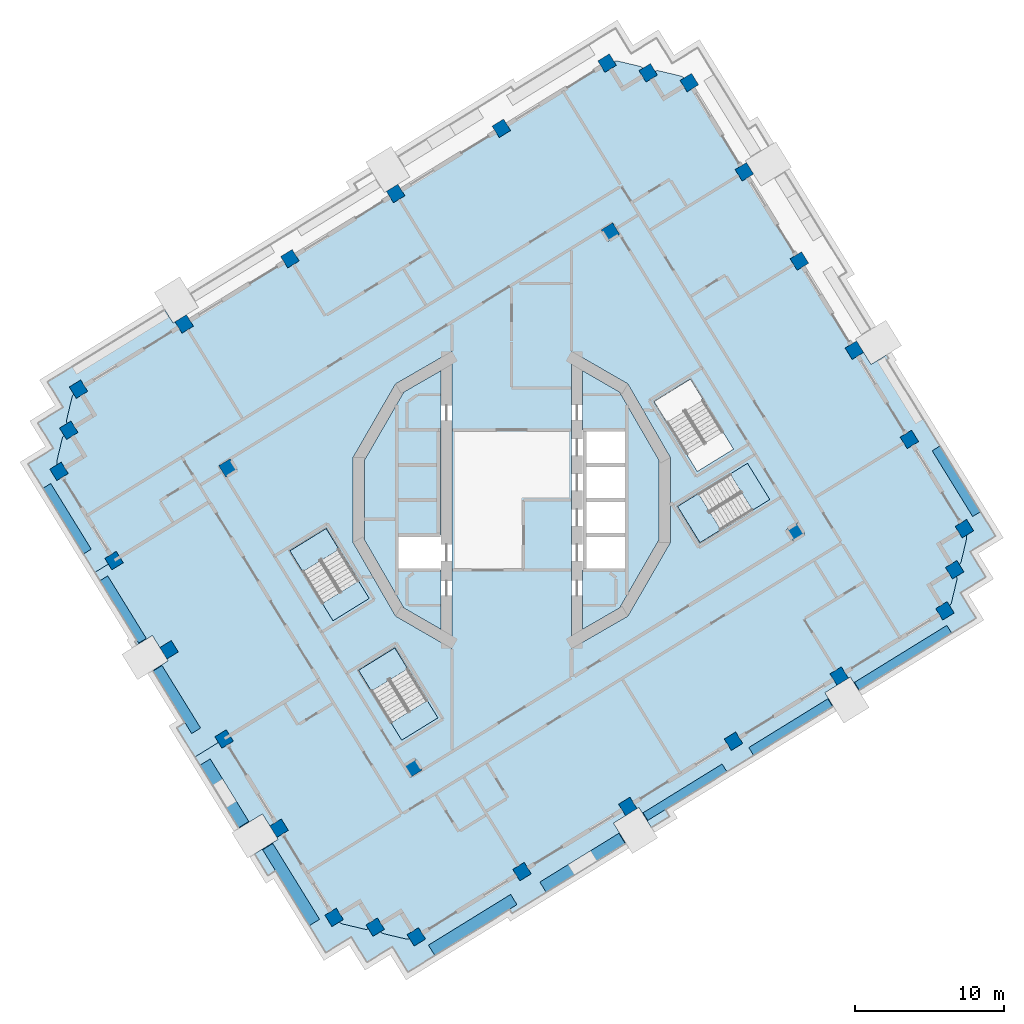
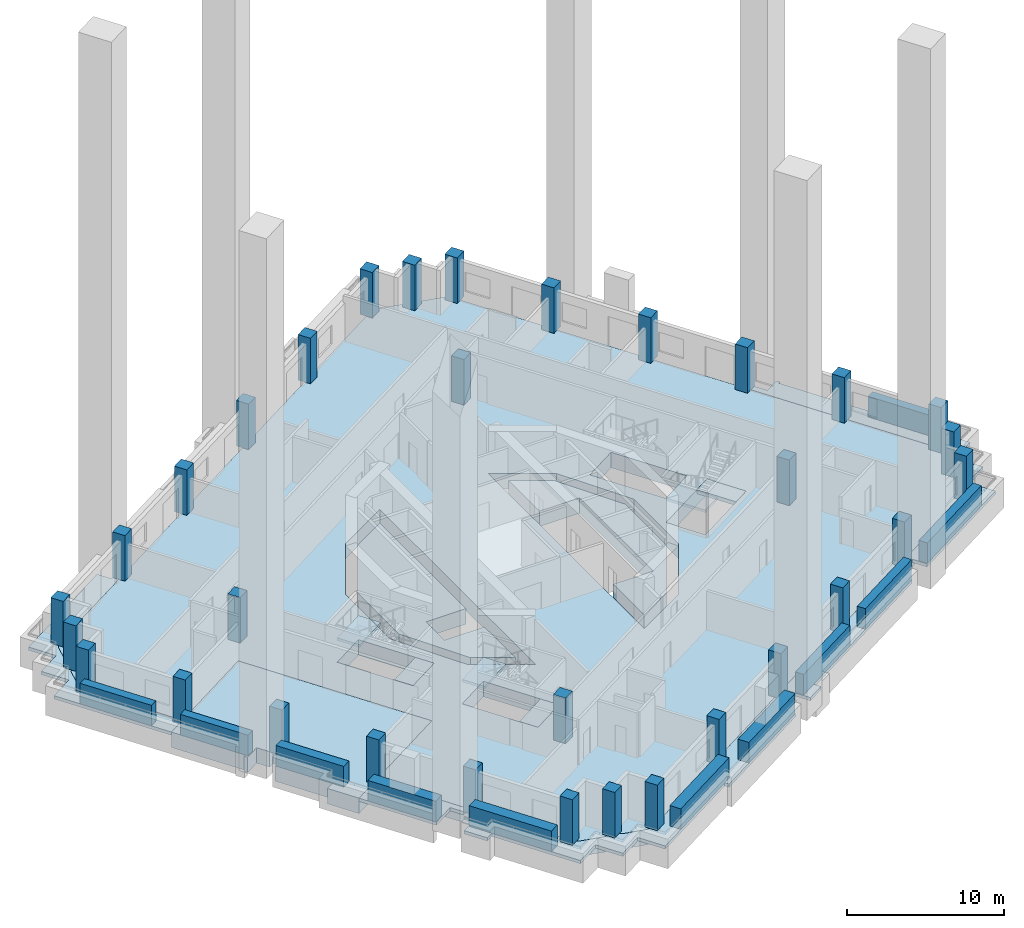
# One storey, part 1 of 19: 32 columns, 15 slabs, 11 plates, 3 elements without a shape of their own.
"""IFC4 building model written with IfcOpenShell, lengths in metres."""

from ifc_helpers import new_model, si_unit, direction, frame, origin, origin_2d, place, context, subcontext, project, spatial, polyline, rectangle, outline, extrude, material, layer, layer_set, material_profile, profile_set, type_object, element, aggregate, save


model = new_model("IFC4")

# Units and contexts
model_context = context("Model", 3, precision=1e-05, world=origin(), true_north=direction((0.0, 1.0)))
body_context = subcontext(model_context, "Body", "Model", "MODEL_VIEW")
ifc_project = project(units=[si_unit("LENGTHUNIT", "METRE"), si_unit("AREAUNIT", "SQUARE_METRE"), si_unit("VOLUMEUNIT", "CUBIC_METRE"), si_unit("PLANEANGLEUNIT", "RADIAN"), si_unit("MASSUNIT", "GRAM", prefix="KILO")], contexts=[model_context])

# Site, building, storey
site_placement = place(None, origin())
site = spatial("IfcSite", under=ifc_project, at=site_placement, CompositionType="ELEMENT")
building_placement = place(site_placement, origin())
building = spatial("IfcBuilding", under=site, at=building_placement, Name="Cantera Rosa Tower", CompositionType="ELEMENT")
storey_placement = place(building_placement, frame((0.0, 0.0, 147.60009765625)))
storey = spatial("IfcBuildingStorey", under=building, at=storey_placement, Name="L31", CompositionType="ELEMENT", Elevation=147.60009765625)

# Columns
ifc_material_1 = material(Name="Concrete C60/75", Category="concrete")
ifc_material_profile_1 = material_profile(ifc_material_1, rectangle(XDim=0.89990234375, YDim=0.89990234375, at=origin_2d()), Name="RC COLUMN RC900X900 C60/75")
ifc_profile_set_1 = profile_set([ifc_material_profile_1], Name="Concrete C60/75")
column_type_1 = type_object("IfcColumnType", Name="RC COLUMN RC900X900 C60/75", PredefinedType="COLUMN", material=ifc_profile_set_1)
for number, where, z_axis, x_axis, name in (
    (1, (30.321044921875, -1.917724609375, 0.0), (0.0, 0.0, 1.0), (0.851116672434, 0.52497658034, 0.0), "C-Z3-01 L31"),
    (2, (26.6357421875, 4.05712890625, 0.0), (0.0, 0.0, 1.0), (0.851116672434, 0.52497658034, 0.0), "C-Z3-02 L31"),
    (3, (22.950439453125, 10.031982421875, 0.0), (0.0, 0.0, 1.0), (0.851116672434, 0.52497658034, 0.0), "C-Z3-03 L31"),
    (4, (19.26513671875, 16.0068359375, 0.0), (0.0, 0.0, 1.0), (0.851116672434, 0.52497658034, 0.0), "C-Z3-04 L31"),
    (5, (15.57958984375, 21.981689453125, 0.0), (0.0, 0.0, 1.0), (0.851116672434, 0.52497658034, 0.0), "C-Z3-05 L31"),
    (6, (11.894287109375, 27.95654296875, 0.0), (0.0, 0.0, 1.0), (0.851116672434, 0.52497658034, 0.0), "C-Z3-06 L31"),
    (7, (9.14208984375, 28.60888671875, 0.0), (0.0, 0.0, 1.0), (0.851116672434, 0.52497658034, 0.0), "C-Z3-07 L31"),
    (8, (6.389892578125, 29.260986328125, 0.0), (0.0, 0.0, 1.0), (0.851116672434, 0.52497658034, 0.0), "C-Z3-08 L31"),
    (9, (-0.69140625, 24.893310546875, 0.0), (0.0, 0.0, 1.0), (0.851116672434, 0.52497658034, 0.0), "C-Z3-09 L31"),
    (10, (-7.772705078125, 20.525390625, 0.0), (0.0, 0.0, 1.0), (0.851116672434, 0.52497658034, 0.0), "C-Z3-10 L31"),
    (11, (-14.85400390625, 16.15771484375, 0.0), (0.0, 0.0, 1.0), (0.851116672434, 0.52497658034, 0.0), "C-Z3-11 L31"),
    (12, (-21.935302734375, 11.789794921875, 0.0), (0.0, 0.0, 1.0), (0.851116672434, 0.52497658034, 0.0), "C-Z3-12 L31"),
    (13, (-29.016357421875, 7.422119140625, 0.0), (0.0, 0.0, 1.0), (0.851116672434, 0.52497658034, 0.0), "C-Z3-13 L31"),
    (14, (-29.668701171875, 4.669921875, 0.0), (0.0, 0.0, 1.0), (0.851116672434, 0.52497658034, 0.0), "C-Z3-14 L31"),
    (15, (-30.321044921875, 1.917724609375, 0.0), (0.0, 0.0, 1.0), (0.851116672434, 0.52497658034, 0.0), "C-Z3-15 L31"),
    (16, (-26.6357421875, -4.05712890625, 0.0), (0.0, 0.0, 1.0), (0.851116672434, 0.52497658034, 0.0), "C-Z3-16 L31"),
    (17, (-22.950439453125, -10.031982421875, 0.0), (0.0, 0.0, 1.0), (0.851116672434, 0.52497658034, 0.0), "C-Z3-17 L31"),
    (18, (-19.26513671875, -16.0068359375, 0.0), (0.0, 0.0, 1.0), (0.851116672434, 0.52497658034, 0.0), "C-Z3-18 L31"),
    (19, (-15.57958984375, -21.981689453125, 0.0), (0.0, 0.0, 1.0), (0.851116672434, 0.52497658034, 0.0), "C-Z3-19 L31"),
    (20, (-11.894287109375, -27.95654296875, 0.0), (0.0, 0.0, 1.0), (0.851116672434, 0.52497658034, 0.0), "C-Z3-20 L31"),
    (21, (-9.14208984375, -28.60888671875, 0.0), (0.0, 0.0, 1.0), (0.851116672434, 0.52497658034, 0.0), "C-Z3-21 L31"),
    (22, (-6.389892578125, -29.260986328125, 0.0), (0.0, 0.0, 1.0), (0.851116672434, 0.52497658034, 0.0), "C-Z3-22 L31"),
    (23, (0.69140625, -24.893310546875, 0.0), (0.0, 0.0, 1.0), (0.851116672434, 0.52497658034, 0.0), "C-Z3-23 L31"),
    (24, (7.772705078125, -20.525390625, 0.0), (0.0, 0.0, 1.0), (0.851116672434, 0.52497658034, 0.0), "C-Z3-24 L31"),
    (25, (14.85400390625, -16.15771484375, 0.0), (0.0, 0.0, 1.0), (0.851116672434, 0.52497658034, 0.0), "C-Z3-25 L31"),
    (26, (21.935302734375, -11.789794921875, 0.0), (0.0, 0.0, 1.0), (0.851116672434, 0.52497658034, 0.0), "C-Z3-26 L31"),
    (27, (29.016357421875, -7.422119140625, 0.0), (0.0, 0.0, 1.0), (0.851116672434, 0.52497658034, 0.0), "C-Z3-27 L31"),
    (28, (29.668701171875, -4.669921875, 0.0), (0.0, 0.0, 1.0), (0.851116672434, 0.52497658034, 0.0), "C-Z3-28 L31"),
):
    element("IfcColumn", number, at=place(storey_placement, frame(where, z_axis=z_axis, x_axis=x_axis)), inside=storey, type_object=column_type_1, Name=name, PredefinedType="COLUMN", context=body_context, shape_type="SweptSolid", body=[
        extrude(rectangle(XDim=0.89990234375, YDim=0.89990234375, at=origin_2d()), origin(), (0.0, 0.0, 1.0), 3.5498046875),
    ])
ifc_material_2 = material(Name="Concrete C60/75", Category="concrete")
ifc_material_profile_2 = material_profile(ifc_material_2, rectangle(XDim=0.89990234375, YDim=0.89990234375, at=origin_2d()), Name="RC RING COLUMN RC900X900 C60/75")
ifc_profile_set_2 = profile_set([ifc_material_profile_2], Name="Concrete C60/75")
column_type_2 = type_object("IfcColumnType", Name="RC RING COLUMN RC900X900 C60/75", PredefinedType="COLUMN", material=ifc_profile_set_2)
for number, where, z_axis, x_axis, name in (
    (29, (6.614501953125, 17.944091796875, 0.0), (0.0, 0.0, 1.0), (0.851116672434, 0.52497658034, 0.0), "CI-Z3-1 L31"),
    (30, (-19.004150390625, 2.142333984375, 0.0), (0.0, 0.0, 1.0), (0.851116672434, 0.52497658034, 0.0), "CI-Z3-2 L31"),
    (31, (-6.614501953125, -17.944091796875, 0.0), (0.0, 0.0, 1.0), (0.851116672434, 0.52497658034, 0.0), "CI-Z3-3 L31"),
    (32, (19.004150390625, -2.142333984375, 0.0), (0.0, 0.0, 1.0), (0.851116672434, 0.52497658034, 0.0), "CI-Z3-4 L31"),
):
    element("IfcColumn", number, at=place(storey_placement, frame(where, z_axis=z_axis, x_axis=x_axis)), inside=storey, type_object=column_type_2, Name=name, PredefinedType="COLUMN", context=body_context, shape_type="SweptSolid", body=[
        extrude(rectangle(XDim=0.89990234375, YDim=0.89990234375, at=origin_2d()), origin(), (0.0, 0.0, 1.0), 3.5498046875),
    ])

# Slabs
ifc_material_3 = material(Name="Concrete C35/45", Category="concrete")
ifc_layer_1 = layer(ifc_material_3, 0.25)
ifc_layer_set_1 = layer_set([ifc_layer_1], Name="LOGGIA SLAB 250 C35/45")
slab_type_1 = type_object("IfcSlabType", Name="LOGGIA SLAB 250 C35/45", PredefinedType="FLOOR", material=ifc_layer_set_1)
slab_1_placement = place(storey_placement, frame((0.0, 0.0, -0.25)))
element("IfcSlab", 33, at=slab_1_placement, inside=storey, type_object=slab_type_1, Name="LOGGIA SLAB L31 1", PredefinedType="FLOOR", context=body_context, shape_type="SweptSolid", body=[
    extrude(outline(polyline([(-30.682861328125, 3.456787109375), (-30.9453125, 3.88232421875), (-31.73291015625, 5.1591796875), (-30.456298828125, 5.946533203125), (-30.03076171875, 6.208984375), (-30.293212890625, 6.634521484375), (-31.08056640625, 7.911376953125), (-29.803955078125, 8.69873046875), (-23.999267578125, 12.279052734375), (-23.2333984375, 12.75146484375), (-22.68212890625, 11.85791015625), (-22.554443359375, 11.9365234375), (-22.318115234375, 11.5537109375), (-29.0166015625, 7.422119140625), (-29.38818359375, 7.00146484375), (-29.406494140625, 6.978515625), (-29.422607421875, 6.953857421875), (-29.43603515625, 6.927490234375), (-29.447021484375, 6.900390625), (-29.455078125, 6.8720703125), (-29.81396484375, 5.3583984375), (-29.8193359375, 5.329345703125), (-29.82177734375, 5.300048828125), (-29.8212890625, 5.2705078125), (-29.818115234375, 5.2412109375), (-29.81201171875, 5.21240234375), (-29.668701171875, 4.669921875), (-30.040283203125, 4.249267578125), (-30.05859375, 4.226318359375), (-30.07470703125, 4.20166015625), (-30.08837890625, 4.17529296875), (-30.09912109375, 4.148193359375), (-30.107421875, 4.119873046875), (-30.46630859375, 2.606201171875), (-30.4716796875, 2.5771484375), (-30.47412109375, 2.5478515625), (-30.4736328125, 2.518310546875), (-30.470458984375, 2.489013671875), (-30.46435546875, 2.460205078125), (-30.321044921875, 1.917724609375), (-26.6357421875, -4.05712890625), (-27.912353515625, -4.844482421875), (-28.69970703125, -3.568115234375), (-31.59765625, 1.130126953125), (-32.38525390625, 2.406982421875), (-31.1083984375, 3.1943359375), (-30.682861328125, 3.456787109375)])), origin(), (0.0, 0.0, 1.0), 0.25),
])
slab_2_placement = place(storey_placement, frame((0.0, 0.0, -0.25)))
element("IfcSlab", 34, at=slab_2_placement, inside=storey, type_object=slab_type_1, Name="LOGGIA SLAB L31 2", PredefinedType="FLOOR", context=body_context, shape_type="SweptSolid", body=[
    extrude(outline(polyline([(-21.2158203125, -17.210205078125), (-19.264892578125, -16.0068359375), (-15.81591796875, -21.5986328125), (-16.198974609375, -21.8349609375), (-16.69775390625, -21.0263671875), (-18.265380859375, -21.993408203125), (-21.2158203125, -17.210205078125)])), origin(), (0.0, 0.0, 1.0), 0.25),
])
slab_3_placement = place(storey_placement, frame((0.0, 0.0, -0.25)))
element("IfcSlab", 35, at=slab_3_placement, inside=storey, type_object=slab_type_1, Name="LOGGIA SLAB L31 4", PredefinedType="FLOOR", context=body_context, shape_type="SweptSolid", body=[
    extrude(outline(polyline([(-7.994384765625, -29.898193359375), (-8.249755859375, -30.0556640625), (-9.696533203125, -30.9482421875), (-10.589111328125, -29.501220703125), (-10.74658203125, -29.245849609375), (-11.001953125, -29.4033203125), (-12.44873046875, -30.2958984375), (-13.34130859375, -28.84912109375), (-15.823486328125, -24.82470703125), (-16.3271484375, -25.135498046875), (-17.21533203125, -23.695556640625), (-15.647705078125, -22.728515625), (-15.7265625, -22.600830078125), (-15.343505859375, -22.36474609375), (-12.408935546875, -27.122314453125), (-11.894287109375, -27.95654296875), (-11.4736328125, -28.328125), (-11.45068359375, -28.346435546875), (-11.426025390625, -28.362548828125), (-11.39990234375, -28.376220703125), (-11.37255859375, -28.386962890625), (-11.34423828125, -28.395263671875), (-9.83056640625, -28.75390625), (-9.801513671875, -28.75927734375), (-9.772216796875, -28.76171875), (-9.742919921875, -28.761474609375), (-9.713623046875, -28.75830078125), (-9.684814453125, -28.752197265625), (-9.14208984375, -28.60888671875), (-8.721435546875, -28.98046875), (-8.698486328125, -28.998779296875), (-8.673828125, -29.014892578125), (-8.647705078125, -29.0283203125), (-8.620361328125, -29.039306640625), (-8.592041015625, -29.047607421875), (-7.078369140625, -29.40625), (-7.049560546875, -29.41162109375), (-7.02001953125, -29.4140625), (-6.99072265625, -29.413818359375), (-6.96142578125, -29.410400390625), (-6.9326171875, -29.404296875), (-6.389892578125, -29.260986328125), (7.3896484375, -20.76171875), (7.625732421875, -21.144775390625), (6.8173828125, -21.643310546875), (7.6416015625, -22.97998046875), (0.032470703125, -27.67333984375), (-0.1357421875, -27.40087890625), (-5.49755859375, -30.7080078125), (-6.9443359375, -31.600341796875), (-7.8369140625, -30.153564453125), (-7.994384765625, -29.898193359375)])), origin(), (0.0, 0.0, 1.0), 0.25),
])
slab_4_placement = place(storey_placement, frame((0.0, 0.0, -0.25)))
element("IfcSlab", 36, at=slab_4_placement, inside=storey, type_object=slab_type_1, Name="LOGGIA SLAB L31 6", PredefinedType="FLOOR", context=body_context, shape_type="SweptSolid", body=[
    extrude(outline(polyline([(21.55224609375, -12.026123046875), (21.788330078125, -12.4091796875), (20.97998046875, -12.90771484375), (21.531005859375, -13.801513671875), (21.446044921875, -13.85400390625), (16.91796875, -16.64697265625), (14.36474609375, -18.2216796875), (10.279541015625, -20.741455078125), (10.552734375, -21.184326171875), (9.343994140625, -21.929931640625), (8.51953125, -20.593505859375), (8.391845703125, -20.672119140625), (8.155517578125, -20.289306640625), (21.55224609375, -12.026123046875)])), origin(), (0.0, 0.0, 1.0), 0.25),
])
slab_5_placement = place(storey_placement, frame((0.0, 0.0, -0.25)))
element("IfcSlab", 37, at=slab_5_placement, inside=storey, type_object=slab_type_1, Name="LOGGIA SLAB L31 8", PredefinedType="FLOOR", context=body_context, shape_type="SweptSolid", body=[
    extrude(outline(polyline([(32.38525390625, -2.406982421875), (31.1083984375, -3.1943359375), (30.682861328125, -3.456787109375), (30.9453125, -3.88232421875), (31.73291015625, -5.1591796875), (30.456298828125, -5.946533203125), (30.03076171875, -6.208984375), (30.293212890625, -6.634521484375), (31.08056640625, -7.911376953125), (29.803955078125, -8.69873046875), (23.999267578125, -12.279052734375), (23.2333984375, -12.75146484375), (22.68212890625, -11.85791015625), (22.554443359375, -11.9365234375), (22.318115234375, -11.5537109375), (28.18212890625, -7.9365234375), (29.0166015625, -7.422119140625), (29.38818359375, -7.00146484375), (29.406494140625, -6.978515625), (29.422607421875, -6.953857421875), (29.43603515625, -6.927490234375), (29.447021484375, -6.900390625), (29.455078125, -6.8720703125), (29.81396484375, -5.3583984375), (29.8193359375, -5.329345703125), (29.82177734375, -5.300048828125), (29.8212890625, -5.2705078125), (29.818115234375, -5.2412109375), (29.81201171875, -5.21240234375), (29.668701171875, -4.669921875), (30.040283203125, -4.249267578125), (30.05859375, -4.226318359375), (30.07470703125, -4.20166015625), (30.08837890625, -4.17529296875), (30.09912109375, -4.148193359375), (30.107421875, -4.119873046875), (30.46630859375, -2.606201171875), (30.4716796875, -2.5771484375), (30.47412109375, -2.5478515625), (30.4736328125, -2.518310546875), (30.470458984375, -2.489013671875), (30.46435546875, -2.460205078125), (30.321044921875, -1.917724609375), (23.1865234375, 9.64892578125), (23.569580078125, 9.88525390625), (24.068359375, 9.07666015625), (25.095458984375, 9.710205078125), (25.230224609375, 9.49169921875), (25.0966796875, 9.4091796875), (27.125, 6.121337890625), (28.69970703125, 3.568115234375), (31.59765625, -1.130126953125), (32.38525390625, -2.406982421875)])), origin(), (0.0, 0.0, 1.0), 0.25),
])

# Plates
ifc_material_4 = material(Name="Cantera stone planter with soil", Category="masonry")
plate_type_1 = type_object("IfcPlateType", Name="PLANTER 600", PredefinedType="USERDEFINED", material=ifc_material_4)
for number, where, z_axis, x_axis, name in (
    (38, (29.775390625, 1.2529296875, -0.000244140625), (0.0, 0.0, 1.0), (-0.52497658034, 0.851116672434, 0.0), "PLANTER L31-01"),
    (39, (-29.775390625, -1.2529296875, -0.000244140625), (0.0, 0.0, 1.0), (0.52497658034, -0.851116672434, 0.0), "PLANTER L31-11"),
):
    element("IfcPlate", number, at=place(storey_placement, frame(where, z_axis=z_axis, x_axis=x_axis)), inside=storey, type_object=plate_type_1, Name=name, ObjectType="PLANTER", PredefinedType="USERDEFINED", context=body_context, shape_type="SweptSolid", body=[
        extrude(rectangle(XDim=5.169921875, YDim=0.60009765625, at=origin_2d()), origin(), (0.0, 0.0, 1.0), 1.60009765625),
    ])
plate_1_placement = place(storey_placement, frame((-26.0244140625, -7.333984375, -0.000244140625), z_axis=(0.0, 0.0, 1.0), x_axis=(0.52497658034, -0.851116672434, 0.0)))
element("IfcPlate", 40, at=plate_1_placement, inside=storey, type_object=plate_type_1, Name="PLANTER L31-12", ObjectType="PLANTER", PredefinedType="USERDEFINED", context=body_context, shape_type="SweptSolid", body=[
    extrude(rectangle(XDim=4.919921875, YDim=0.60009765625, at=origin_2d()), origin(), (0.0, 0.0, 1.0), 1.60009765625),
])
for number, where, z_axis, x_axis, name in (
    (41, (11.602783203125, -19.572998046875, -0.000244140625), (0.0, 0.0, 1.0), (0.851116672434, 0.52497658034, 0.0), "PLANTER L31-18"),
    (42, (18.68408203125, -15.205078125, -0.000244140625), (0.0, 0.0, 1.0), (0.851116672434, 0.52497658034, 0.0), "PLANTER L31-19"),
):
    element("IfcPlate", number, at=place(storey_placement, frame(where, z_axis=z_axis, x_axis=x_axis)), inside=storey, type_object=plate_type_1, Name=name, ObjectType="PLANTER", PredefinedType="USERDEFINED", context=body_context, shape_type="SweptSolid", body=[
        extrude(rectangle(XDim=6.219970703125, YDim=0.60009765625, at=origin_2d()), origin(), (0.0, 0.0, 1.0), 1.60009765625),
    ])
plate_2_placement = place(storey_placement, frame((26.212158203125, -10.561767578125, -0.000244140625), z_axis=(0.0, 0.0, 1.0), x_axis=(0.851116672434, 0.52497658034, 0.0)))
element("IfcPlate", 43, at=plate_2_placement, inside=storey, type_object=plate_type_1, Name="PLANTER L31-20", ObjectType="PLANTER", PredefinedType="USERDEFINED", context=body_context, shape_type="SweptSolid", body=[
    extrude(rectangle(XDim=7.27001953125, YDim=0.60009765625, at=origin_2d()), origin(), (0.0, 0.0, 1.0), 1.60009765625),
])
ifc_material_5 = material(Name="Cantera stone planter with soil", Category="masonry")
plate_type_2 = type_object("IfcPlateType", Name="PLANTER 700", PredefinedType="USERDEFINED", material=ifc_material_5)
plate_3_placement = place(storey_placement, frame((-22.429931640625, -13.364990234375, -0.000244140625), z_axis=(0.0, 0.0, 1.0), x_axis=(0.52497658034, -0.851116672434, 0.0)))
element("IfcPlate", 44, at=plate_3_placement, inside=storey, type_object=plate_type_2, Name="PLANTER L31-13", ObjectType="PLANTER", PredefinedType="USERDEFINED", context=body_context, shape_type="SweptSolid", body=[
    extrude(rectangle(XDim=4.919921875, YDim=0.699951171875, at=origin_2d()), origin(), (0.0, 0.0, 1.0), 1.60009765625),
])
ifc_material_6 = material(Name="Cantera stone planter with soil", Category="masonry")
plate_type_3 = type_object("IfcPlateType", Name="PLANTER 800", PredefinedType="USERDEFINED", material=ifc_material_6)
plate_4_placement = place(storey_placement, frame((-19.24267578125, -19.64697265625, -0.000244140625), z_axis=(0.0, 0.0, 1.0), x_axis=(0.52497658034, -0.851116672434, 0.0)))
element("IfcPlate", 45, at=plate_4_placement, inside=storey, type_object=plate_type_3, Name="PLANTER L31-14", ObjectType="PLANTER", PredefinedType="USERDEFINED", context=body_context, shape_type="SweptSolid", body=[
    extrude(rectangle(XDim=4.919921875, YDim=0.800048828125, at=origin_2d()), origin(), (0.0, 0.0, 1.0), 1.60009765625),
])
plate_5_placement = place(storey_placement, frame((-14.77783203125, -25.758056640625, -0.000244140625), z_axis=(0.0, 0.0, 1.0), x_axis=(0.52497658034, -0.851116672434, 0.0)))
element("IfcPlate", 46, at=plate_5_placement, inside=storey, type_object=plate_type_3, Name="PLANTER L31-15", ObjectType="PLANTER", PredefinedType="USERDEFINED", context=body_context, shape_type="SweptSolid", body=[
    extrude(rectangle(XDim=5.969970703125, YDim=0.800048828125, at=origin_2d()), origin(), (0.0, 0.0, 1.0), 1.60009765625),
])
plate_6_placement = place(storey_placement, frame((-2.61376953125, -28.459228515625, -0.000244140625), z_axis=(0.0, 0.0, 1.0), x_axis=(0.851116672434, 0.52497658034, 0.0)))
element("IfcPlate", 47, at=plate_6_placement, inside=storey, type_object=plate_type_3, Name="PLANTER L31-16", ObjectType="PLANTER", PredefinedType="USERDEFINED", context=body_context, shape_type="SweptSolid", body=[
    extrude(rectangle(XDim=6.469970703125, YDim=0.800048828125, at=origin_2d()), origin(), (0.0, 0.0, 1.0), 1.60009765625),
])
plate_7_placement = place(storey_placement, frame((4.7421875, -24.29833984375, -0.000244140625), z_axis=(0.0, 0.0, 1.0), x_axis=(0.851116672434, 0.52497658034, 0.0)))
element("IfcPlate", 48, at=plate_7_placement, inside=storey, type_object=plate_type_3, Name="PLANTER L31-17", ObjectType="PLANTER", PredefinedType="USERDEFINED", context=body_context, shape_type="SweptSolid", body=[
    extrude(rectangle(XDim=6.219970703125, YDim=0.800048828125, at=origin_2d()), origin(), (0.0, 0.0, 1.0), 1.60009765625),
])

# Slabs
ifc_material_7 = material(Name="Concrete C50/60", Category="concrete")
ifc_layer_2 = layer(ifc_material_7, 0.300048828125)
ifc_layer_set_2 = layer_set([ifc_layer_2], Name="RC STAIR ARRIVAL LANDING 300 C50/60")
slab_type_2 = type_object("IfcSlabType", Name="RC STAIR ARRIVAL LANDING 300 C50/60", PredefinedType="FLOOR", material=ifc_layer_set_2)
slab_6_placement = place(storey_placement, frame((0.0, 0.0, -0.300048828125)))
element("IfcSlab", 49, at=slab_6_placement, inside=storey, type_object=slab_type_2, Name="SLAB L31 arrival 1", PredefinedType="FLOOR", context=body_context, shape_type="SweptSolid", body=[
    extrude(outline(polyline([(-10.258544921875, -5.433349609375), (-9.54345703125, -6.592529296875), (-11.96923828125, -8.088623046875), (-12.68408203125, -6.929443359375), (-10.258544921875, -5.433349609375)])), origin(), (0.0, 0.0, 1.0), 0.300048828125),
])
slab_7_placement = place(storey_placement, frame((0.0, 0.0, -0.300048828125)))
element("IfcSlab", 50, at=slab_7_placement, inside=storey, type_object=slab_type_2, Name="SLAB L31 arrival 2", PredefinedType="FLOOR", context=body_context, shape_type="SweptSolid", body=[
    extrude(outline(polyline([(-4.943603515625, -14.592529296875), (-7.369140625, -16.088623046875), (-8.084228515625, -14.929443359375), (-5.658447265625, -13.433349609375), (-4.943603515625, -14.592529296875)])), origin(), (0.0, 0.0, 1.0), 0.300048828125),
])
slab_8_placement = place(storey_placement, frame((0.0, 0.0, -0.300048828125)))
element("IfcSlab", 51, at=slab_8_placement, inside=storey, type_object=slab_type_2, Name="SLAB L31 arrival 4", PredefinedType="FLOOR", context=body_context, shape_type="SweptSolid", body=[
    extrude(outline(polyline([(15.79248046875, 2.45654296875), (17.288818359375, 0.03076171875), (16.12939453125, -0.68408203125), (14.63330078125, 1.741455078125), (15.79248046875, 2.45654296875)])), origin(), (0.0, 0.0, 1.0), 0.300048828125),
])
ifc_material_8 = material(Name="Concrete C50/60", Category="concrete")
ifc_layer_3 = layer(ifc_material_8, 1.199951171875)
ifc_layer_set_3 = layer_set([ifc_layer_3], Name="RC TRANSFER PLATE 1200 C50/60")
slab_type_3 = type_object("IfcSlabType", Name="RC TRANSFER PLATE 1200 C50/60", PredefinedType="FLOOR", material=ifc_layer_set_3)
slab_9_placement = place(storey_placement, frame((0.0, 0.0, -1.2001953125)))
element("IfcSlab", 52, at=slab_9_placement, inside=storey, type_object=slab_type_3, Name="SLAB L31 floor 1", PredefinedType="FLOOR", context=body_context, shape_type="SweptSolid", body=[
    extrude(outline(polyline([(-7.22900390625, -7.22900390625), (-9.875244140625, -2.64599609375), (-9.875244140625, 2.64599609375), (-7.22900390625, 7.22900390625), (-4.75, 8.660400390625), (-4.75, -2.35009765625), (-7.699951171875, -2.35009765625), (-7.699951171875, -4.699951171875), (-4.75, -4.699951171875), (-4.75, -8.660400390625), (-7.22900390625, -7.22900390625)])), origin(), (0.0, 0.0, 1.0), 1.2001953125),
])
slab_10_placement = place(storey_placement, frame((0.0, 0.0, -1.2001953125)))
element("IfcSlab", 53, at=slab_10_placement, inside=storey, type_object=slab_type_3, Name="SLAB L31 floor 2", PredefinedType="FLOOR", context=body_context, shape_type="SweptSolid", body=[
    extrude(outline(polyline([(-8.673828125, -29.014892578125), (-8.698486328125, -28.998779296875), (-8.721435546875, -28.98046875), (-9.14208984375, -28.60888671875), (-9.684814453125, -28.752197265625), (-9.713623046875, -28.75830078125), (-9.742919921875, -28.761474609375), (-9.772216796875, -28.76171875), (-9.801513671875, -28.75927734375), (-9.83056640625, -28.75390625), (-11.34423828125, -28.395263671875), (-11.37255859375, -28.386962890625), (-11.39990234375, -28.376220703125), (-11.426025390625, -28.362548828125), (-11.45068359375, -28.346435546875), (-11.4736328125, -28.328125), (-11.894287109375, -27.95654296875), (-12.408935546875, -27.122314453125), (-19.264892578125, -16.0068359375), (-12.881591796875, -12.069580078125), (-20.252197265625, -0.119873046875), (-26.6357421875, -4.05712890625), (-30.321044921875, 1.917724609375), (-30.46435546875, 2.460205078125), (-30.470458984375, 2.489013671875), (-30.4736328125, 2.518310546875), (-30.47412109375, 2.5478515625), (-30.4716796875, 2.5771484375), (-30.46630859375, 2.606201171875), (-30.107421875, 4.119873046875), (-30.09912109375, 4.148193359375), (-30.08837890625, 4.17529296875), (-30.07470703125, 4.20166015625), (-30.05859375, 4.226318359375), (-30.040283203125, 4.249267578125), (-29.668701171875, 4.669921875), (-29.81201171875, 5.21240234375), (-29.818115234375, 5.2412109375), (-29.8212890625, 5.2705078125), (-29.82177734375, 5.300048828125), (-29.8193359375, 5.329345703125), (-29.81396484375, 5.3583984375), (-29.455078125, 6.8720703125), (-29.447021484375, 6.900390625), (-29.43603515625, 6.927490234375), (-29.422607421875, 6.953857421875), (-29.406494140625, 6.978515625), (-29.38818359375, 7.00146484375), (-29.0166015625, 7.422119140625), (6.389892578125, 29.260986328125), (6.9326171875, 29.404296875), (6.96142578125, 29.410400390625), (6.99072265625, 29.413818359375), (7.02001953125, 29.4140625), (7.049560546875, 29.41162109375), (7.078369140625, 29.40625), (8.592041015625, 29.047607421875), (8.620361328125, 29.039306640625), (8.647705078125, 29.0283203125), (8.673828125, 29.014892578125), (8.698486328125, 28.998779296875), (8.721435546875, 28.98046875), (9.14208984375, 28.60888671875), (9.684814453125, 28.752197265625), (9.713623046875, 28.75830078125), (9.742919921875, 28.761474609375), (9.772216796875, 28.76171875), (9.801513671875, 28.75927734375), (9.83056640625, 28.75390625), (11.34423828125, 28.395263671875), (11.37255859375, 28.386962890625), (11.39990234375, 28.376220703125), (11.426025390625, 28.362548828125), (11.45068359375, 28.346435546875), (11.4736328125, 28.328125), (11.894287109375, 27.95654296875), (30.321044921875, -1.917724609375), (30.46435546875, -2.460205078125), (30.470458984375, -2.489013671875), (30.4736328125, -2.518310546875), (30.47412109375, -2.5478515625), (30.4716796875, -2.5771484375), (30.46630859375, -2.606201171875), (30.107421875, -4.119873046875), (30.09912109375, -4.148193359375), (30.08837890625, -4.17529296875), (30.07470703125, -4.20166015625), (30.05859375, -4.226318359375), (30.040283203125, -4.249267578125), (29.668701171875, -4.669921875), (29.81201171875, -5.21240234375), (29.818115234375, -5.2412109375), (29.8212890625, -5.2705078125), (29.82177734375, -5.300048828125), (29.8193359375, -5.329345703125), (29.81396484375, -5.3583984375), (29.455078125, -6.8720703125), (29.447021484375, -6.900390625), (29.43603515625, -6.927490234375), (29.422607421875, -6.953857421875), (29.406494140625, -6.978515625), (29.38818359375, -7.00146484375), (29.0166015625, -7.422119140625), (28.18212890625, -7.9365234375), (-6.389892578125, -29.260986328125), (-6.9326171875, -29.404296875), (-6.96142578125, -29.410400390625), (-6.99072265625, -29.413818359375), (-7.02001953125, -29.4140625), (-7.049560546875, -29.41162109375), (-7.078369140625, -29.40625), (-8.592041015625, -29.047607421875), (-8.620361328125, -29.039306640625), (-8.647705078125, -29.0283203125), (-8.673828125, -29.014892578125)]), holes=[polyline([(-5.658447265625, -13.433349609375), (-7.830810546875, -9.911376953125), (-10.256591796875, -11.407470703125), (-8.084228515625, -14.929443359375), (-7.369140625, -16.088623046875), (-4.943603515625, -14.592529296875), (-5.658447265625, -13.433349609375)]), polyline([(-14.8564453125, -3.407470703125), (-11.96923828125, -8.088623046875), (-9.54345703125, -6.592529296875), (-12.430908203125, -1.911376953125), (-14.8564453125, -3.407470703125)]), polyline([(-10.625244140625, 2.846923828125), (-10.625244140625, -2.846923828125), (-7.7783203125, -7.7783203125), (-4.0, -9.95947265625), (-4.0, 9.95947265625), (-7.7783203125, 7.7783203125), (-10.625244140625, 2.846923828125)]), polyline([(11.111328125, -0.430908203125), (12.607421875, -2.8564453125), (16.12939453125, -0.68408203125), (17.288818359375, 0.03076171875), (15.79248046875, 2.45654296875), (14.63330078125, 1.741455078125), (11.111328125, -0.430908203125)]), polyline([(10.625244140625, -2.846923828125), (10.625244140625, 2.846923828125), (7.7783203125, 7.7783203125), (4.0, 9.95947265625), (4.0, -9.95947265625), (7.7783203125, -7.7783203125), (10.625244140625, -2.846923828125)]), polyline([(14.8564453125, 3.407470703125), (11.96923828125, 8.088623046875), (9.54345703125, 6.592529296875), (12.430908203125, 1.911376953125), (14.8564453125, 3.407470703125)])]), origin(), (0.0, 0.0, 1.0), 1.2001953125),
])
slab_11_placement = place(storey_placement, frame((0.0, 0.0, -1.2001953125)))
element("IfcSlab", 54, at=slab_11_placement, inside=storey, type_object=slab_type_3, Name="SLAB L31 floor 3", PredefinedType="FLOOR", context=body_context, shape_type="SweptSolid", body=[
    extrude(outline(polyline([(7.699951171875, 0.0), (7.699951171875, 2.35009765625), (7.699951171875, 4.699951171875), (4.75, 4.699951171875), (4.75, 8.660400390625), (7.22900390625, 7.22900390625), (9.875244140625, 2.64599609375), (9.875244140625, -2.64599609375), (7.22900390625, -7.22900390625), (4.75, -8.660400390625), (4.75, -4.699951171875), (7.699951171875, -4.699951171875), (7.699951171875, -2.35009765625), (7.699951171875, 0.0)])), origin(), (0.0, 0.0, 1.0), 1.2001953125),
])
ifc_material_9 = material(Name="Concrete C50/60", Category="concrete")
ifc_layer_4 = layer(ifc_material_9, 1.199951171875)
ifc_layer_set_4 = layer_set([ifc_layer_4], Name="RC TRANSFER PLATE TERRACE 1200 C50/60")
slab_type_4 = type_object("IfcSlabType", Name="RC TRANSFER PLATE TERRACE 1200 C50/60", PredefinedType="FLOOR", material=ifc_layer_set_4)
slab_12_placement = place(storey_placement, frame((0.0, 0.0, -1.2001953125)))
element("IfcSlab", 55, at=slab_12_placement, inside=storey, type_object=slab_type_4, Name="RC TRANSFER PLATE TERRACE L31 1", PredefinedType="FLOOR", context=body_context, shape_type="SweptSolid", body=[
    extrude(outline(polyline([(-22.714111328125, -10.4150390625), (-23.1865234375, -9.64892578125), (-23.569580078125, -9.88525390625), (-24.068359375, -9.07666015625), (-25.095458984375, -9.710205078125), (-25.230224609375, -9.49169921875), (-25.0966796875, -9.4091796875), (-27.125, -6.121337890625), (-27.912353515625, -4.844482421875), (-26.6357421875, -4.05712890625), (-20.252197265625, -0.119873046875), (-12.881591796875, -12.069580078125), (-19.264892578125, -16.0068359375), (-21.2158203125, -17.210205078125), (-22.4189453125, -15.25927734375), (-21.87841796875, -14.92578125), (-24.04541015625, -11.41259765625), (-23.018310546875, -10.77880859375), (-23.09716796875, -10.651123046875), (-22.714111328125, -10.4150390625)])), origin(), (0.0, 0.0, 1.0), 1.2001953125),
])

# Stair, slab
ifc_material_10 = material(Name="Concrete C35/45", Category="concrete")
stair_type = type_object("IfcStairType", Name="EXIT STAIR 1350 DOGLEG", PredefinedType="HALF_TURN_STAIR", material=ifc_material_10)
stair_1_placement = place(storey_placement, origin())
stair_1 = element("IfcStair", 56, at=stair_1_placement, inside=storey, type_object=stair_type, Name="L31 ST-32", PredefinedType="HALF_TURN_STAIR")
ifc_material_11 = material(Name="Concrete C35/45", Category="concrete")
ifc_layer_5 = layer(ifc_material_11, 0.199951171875)
ifc_layer_set_5 = layer_set([ifc_layer_5], Name="STAIR LANDING 200")
slab_type_5 = type_object("IfcSlabType", Name="STAIR LANDING 200", PredefinedType="LANDING", material=ifc_layer_set_5)
slab_13_placement = place(storey_placement, frame((0.0, 0.0, 1.699951171875)))
slab_13 = element("IfcSlab", 57, at=slab_13_placement, type_object=slab_type_5, Name="ST-32 landing 1", PredefinedType="LANDING", context=body_context, shape_type="SweptSolid", body=[
    extrude(outline(polyline([(-11.56884765625, -3.308837890625), (-12.430908203125, -1.911376953125), (-14.8564453125, -3.407470703125), (-13.99462890625, -4.80517578125), (-11.56884765625, -3.308837890625)])), origin(), (0.0, 0.0, 1.0), 0.199951171875),
])
aggregate(stair_1, [slab_13])

stair_2_placement = place(storey_placement, origin())
stair_2 = element("IfcStair", 58, at=stair_2_placement, inside=storey, type_object=stair_type, Name="L31 ST-33", PredefinedType="HALF_TURN_STAIR")
slab_14_placement = place(storey_placement, frame((0.0, 0.0, 1.699951171875)))
slab_14 = element("IfcSlab", 59, at=slab_14_placement, type_object=slab_type_5, Name="ST-33 landing 1", PredefinedType="LANDING", context=body_context, shape_type="SweptSolid", body=[
    extrude(outline(polyline([(-6.96875, -11.308837890625), (-7.830810546875, -9.911376953125), (-10.256591796875, -11.407470703125), (-9.39453125, -12.80517578125), (-6.96875, -11.308837890625)])), origin(), (0.0, 0.0, 1.0), 0.199951171875),
])
aggregate(stair_2, [slab_14])

stair_3_placement = place(storey_placement, origin())
stair_3 = element("IfcStair", 60, at=stair_3_placement, inside=storey, type_object=stair_type, Name="L31 ST-34", PredefinedType="HALF_TURN_STAIR")
slab_15_placement = place(storey_placement, frame((0.0, 0.0, 1.699951171875)))
slab_15 = element("IfcSlab", 61, at=slab_15_placement, type_object=slab_type_5, Name="ST-34 landing 1", PredefinedType="LANDING", context=body_context, shape_type="SweptSolid", body=[
    extrude(outline(polyline([(12.5087890625, 0.43115234375), (11.111328125, -0.430908203125), (12.607421875, -2.8564453125), (14.005126953125, -1.99462890625), (12.5087890625, 0.43115234375)])), origin(), (0.0, 0.0, 1.0), 0.199951171875),
])
aggregate(stair_3, [slab_15])

save(model, "model.ifc")
